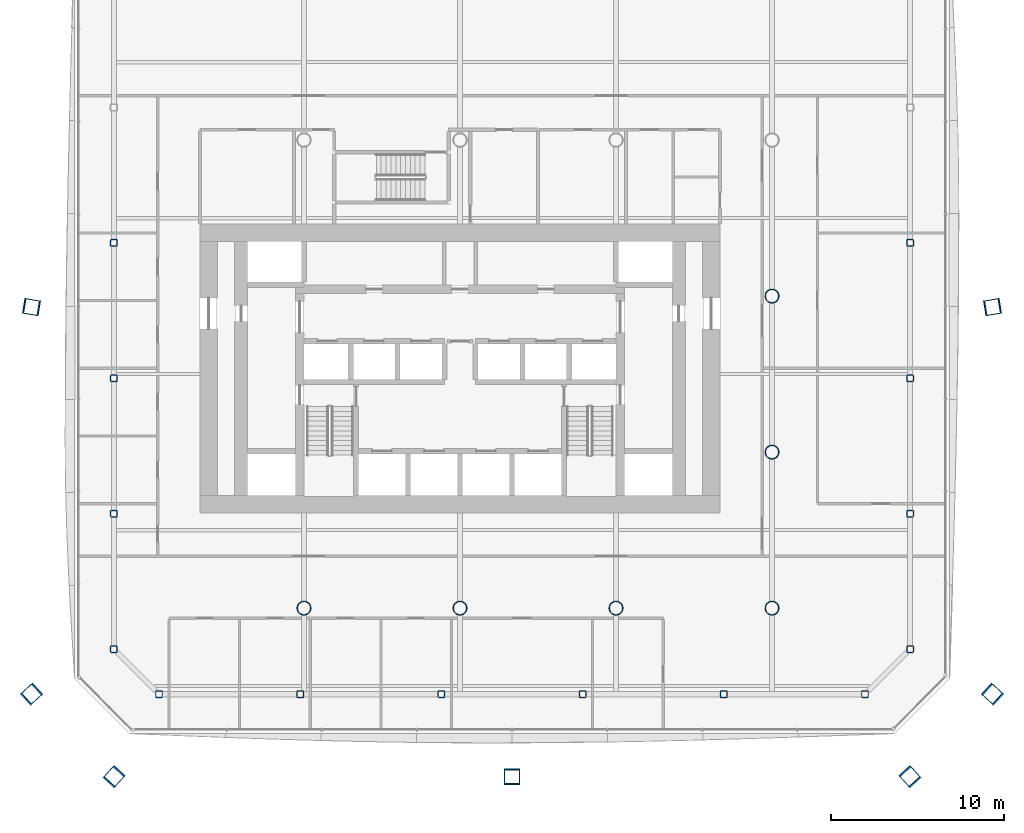
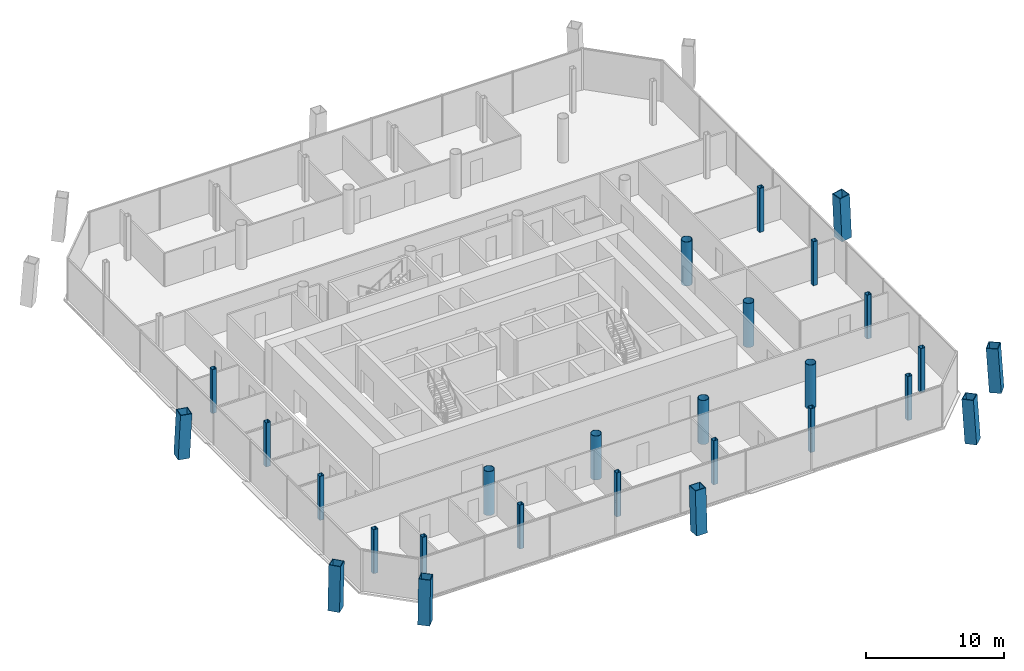
# One storey, part 1 of 19: 27 columns.
"""IFC4 building model written with IfcOpenShell, lengths in metres."""

from ifc_helpers import new_model, si_unit, direction, frame, origin, origin_2d, place, context, subcontext, project, spatial, hollow_rectangle, hollow_circle, extrude, material, material_profile, profile_set, type_object, element, save


model = new_model("IFC4")

# Units and contexts
model_context = context("Model", 3, precision=1e-05, world=origin(), true_north=direction((0.0, 1.0)))
body_context = subcontext(model_context, "Body", "Model", "MODEL_VIEW")
ifc_project = project(units=[si_unit("LENGTHUNIT", "METRE"), si_unit("AREAUNIT", "SQUARE_METRE"), si_unit("VOLUMEUNIT", "CUBIC_METRE"), si_unit("PLANEANGLEUNIT", "RADIAN"), si_unit("MASSUNIT", "GRAM", prefix="KILO")], contexts=[model_context])

# Site, building, storey
site_placement = place(None, origin())
site = spatial("IfcSite", under=ifc_project, at=site_placement, CompositionType="ELEMENT")
building_placement = place(site_placement, origin())
building = spatial("IfcBuilding", under=site, at=building_placement, Name="Tskaro Facet Tower", CompositionType="ELEMENT")
storey_placement = place(building_placement, frame((0.0, 0.0, 81.60009765625)))
storey = spatial("IfcBuildingStorey", under=building, at=storey_placement, Name="L19", CompositionType="ELEMENT", Elevation=81.60009765625)

# Columns
ifc_material_1 = material(Name="Steel S460M", Category="steel")
ifc_material_profile_1 = material_profile(ifc_material_1, hollow_rectangle(XDim=0.89990234375, YDim=0.89990234375, WallThickness=0.054931640625, at=origin_2d()), Name="BOX 900x900x55")
ifc_profile_set_1 = profile_set([ifc_material_profile_1], Name="Steel S460M")
column_type_1 = type_object("IfcColumnType", Name="BOX 900x900x55 mega column", PredefinedType="COLUMN", material=ifc_profile_set_1)
column_1_placement = place(storey_placement, frame((-19.98193359375, -27.74609375, 0.0), z_axis=(0.042483940787, 0.046857287632, 0.997997750183), x_axis=(-0.74083333658, 0.671688891833, 0.0)))
element("IfcColumn", 1, at=column_1_placement, inside=storey, type_object=column_type_1, Name="BOX 900x900x55 MC01/2", PredefinedType="COLUMN", context=body_context, shape_type="SweptSolid", body=[
    extrude(hollow_rectangle(XDim=0.89990234375, YDim=0.89990234375, WallThickness=0.054931640625, at=origin_2d()), origin(), (0.0, 0.0, 1.0), 3.90771484375),
])
column_2_placement = place(storey_placement, frame((3.0, -27.74609375, 0.0), z_axis=(0.0, 0.046899630973, 0.998899606875), x_axis=(-1.0, 0.0, 0.0)))
element("IfcColumn", 2, at=column_2_placement, inside=storey, type_object=column_type_1, Name="BOX 900x900x55 MC02/2", PredefinedType="COLUMN", context=body_context, shape_type="SweptSolid", body=[
    extrude(hollow_rectangle(XDim=0.89990234375, YDim=0.89990234375, WallThickness=0.054931640625, at=origin_2d()), origin(), (0.0, 0.0, 1.0), 3.904296875),
])
for number, where, z_axis, x_axis, name in (
    (3, (25.98193359375, -27.74609375, 0.0), (-0.042483940787, 0.046857287632, 0.997997750183), (-0.74083333658, -0.671688891833, 0.0), "BOX 900x900x55 MC03/2"),
    (4, (30.74609375, -22.98193359375, 0.0), (-0.046857287632, 0.042483940787, 0.997997750183), (-0.671688891833, -0.74083333658, 0.0), "BOX 900x900x55 MC04/2"),
):
    element("IfcColumn", number, at=place(storey_placement, frame(where, z_axis=z_axis, x_axis=x_axis)), inside=storey, type_object=column_type_1, Name=name, PredefinedType="COLUMN", context=body_context, shape_type="SweptSolid", body=[
        extrude(hollow_rectangle(XDim=0.89990234375, YDim=0.89990234375, WallThickness=0.054931640625, at=origin_2d()), origin(), (0.0, 0.0, 1.0), 3.90771484375),
    ])
for number, where, z_axis, x_axis, name in (
    (5, (30.74609375, -0.6279296875, 0.0), (-0.046898243748, -0.007691311975, 0.998870060845), (0.161838042552, -0.986817332632, 0.0), "BOX 900x900x55 MC05/2"),
    (6, (-24.74609375, -0.6279296875, 0.0), (0.046898243748, -0.007691311975, 0.998870060845), (0.161838042552, 0.986817332632, 0.0), "BOX 900x900x55 MC11/2"),
):
    element("IfcColumn", number, at=place(storey_placement, frame(where, z_axis=z_axis, x_axis=x_axis)), inside=storey, type_object=column_type_1, Name=name, PredefinedType="COLUMN", context=body_context, shape_type="SweptSolid", body=[
        extrude(hollow_rectangle(XDim=0.89990234375, YDim=0.89990234375, WallThickness=0.054931640625, at=origin_2d()), origin(), (0.0, 0.0, 1.0), 3.904296875),
    ])
column_3_placement = place(storey_placement, frame((-24.74609375, -22.98193359375, 0.0), z_axis=(0.046857287632, 0.042483940787, 0.997997750183), x_axis=(-0.671688891833, 0.74083333658, 0.0)))
element("IfcColumn", 7, at=column_3_placement, inside=storey, type_object=column_type_1, Name="BOX 900x900x55 MC12/2", PredefinedType="COLUMN", context=body_context, shape_type="SweptSolid", body=[
    extrude(hollow_rectangle(XDim=0.89990234375, YDim=0.89990234375, WallThickness=0.054931640625, at=origin_2d()), origin(), (0.0, 0.0, 1.0), 3.90771484375),
])
ifc_material_2 = material(Name="Steel S355J2H", Category="steel")
ifc_material_profile_2 = material_profile(ifc_material_2, hollow_circle(Radius=0.406494140625, WallThickness=0.035888671875, at=origin_2d()), Name="CHS 812.8x36")
ifc_profile_set_2 = profile_set([ifc_material_profile_2], Name="Steel S355J2H")
column_type_2 = type_object("IfcColumnType", Name="CHS 812.8x36 interior column", PredefinedType="COLUMN", material=ifc_profile_set_2)
for number, where, z_axis, x_axis, name in (
    (8, (-9.0, -18.0, 0.0), (0.0, 0.0, 1.0), (1.0, 0.0, 0.0), "CHS 812.8x36 C3B/2"),
    (9, (0.0, -18.0, 0.0), (0.0, 0.0, 1.0), (1.0, 0.0, 0.0), "CHS 812.8x36 C4B/2"),
    (10, (9.0, -18.0, 0.0), (0.0, 0.0, 1.0), (1.0, 0.0, 0.0), "CHS 812.8x36 C5B/2"),
    (11, (18.0, -18.0, 0.0), (0.0, 0.0, 1.0), (1.0, 0.0, 0.0), "CHS 812.8x36 C6B/2"),
    (12, (18.0, -9.0, 0.0), (0.0, 0.0, 1.0), (1.0, 0.0, 0.0), "CHS 812.8x36 C6C/2"),
    (13, (18.0, 0.0, 0.0), (0.0, 0.0, 1.0), (1.0, 0.0, 0.0), "CHS 812.8x36 C6D/2"),
):
    element("IfcColumn", number, at=place(storey_placement, frame(where, z_axis=z_axis, x_axis=x_axis)), inside=storey, type_object=column_type_2, Name=name, PredefinedType="COLUMN", context=body_context, shape_type="SweptSolid", body=[
        extrude(hollow_circle(Radius=0.406494140625, WallThickness=0.035888671875, at=origin_2d()), origin(), (0.0, 0.0, 1.0), 3.89990234375),
    ])
ifc_material_profile_3 = material_profile(ifc_material_2, hollow_rectangle(XDim=0.39990234375, YDim=0.39990234375, WallThickness=0.02490234375, InnerFilletRadius=0.03759765625, OuterFilletRadius=0.0625, at=origin_2d()), Name="SHS 400x400x25")
ifc_profile_set_3 = profile_set([ifc_material_profile_3], Name="Steel S355J2H")
column_type_3 = type_object("IfcColumnType", Name="SHS 400x400x25 ring column", PredefinedType="COLUMN", material=ifc_profile_set_3)
for number, where, z_axis, x_axis, name in (
    (14, (-17.364013671875, -22.965087890625, 0.0), (0.0, 0.0, 1.0), (1.0, 0.0, 0.0), "SHS 400x400x25 RS-1/2"),
    (15, (-9.218017578125, -22.965087890625, 0.0), (0.0, 0.0, 1.0), (1.0, 0.0, 0.0), "SHS 400x400x25 RS-2/2"),
    (16, (-1.072998046875, -22.965087890625, 0.0), (0.0, 0.0, 1.0), (1.0, 0.0, 0.0), "SHS 400x400x25 RS-3/2"),
    (17, (7.072998046875, -22.965087890625, 0.0), (0.0, 0.0, 1.0), (1.0, 0.0, 0.0), "SHS 400x400x25 RS-4/2"),
    (18, (15.218017578125, -22.965087890625, 0.0), (0.0, 0.0, 1.0), (1.0, 0.0, 0.0), "SHS 400x400x25 RS-5/2"),
    (19, (23.364013671875, -22.965087890625, 0.0), (0.0, 0.0, 1.0), (1.0, 0.0, 0.0), "SHS 400x400x25 RSE-1/2"),
    (20, (25.965087890625, -20.364013671875, 0.0), (0.0, 0.0, 1.0), (1.0, 0.0, 0.0), "SHS 400x400x25 RE-1/2"),
    (21, (25.965087890625, -12.552978515625, 0.0), (0.0, 0.0, 1.0), (1.0, 0.0, 0.0), "SHS 400x400x25 RE-2/2"),
    (22, (25.965087890625, -4.741943359375, 0.0), (0.0, 0.0, 1.0), (1.0, 0.0, 0.0), "SHS 400x400x25 RE-3/2"),
    (23, (25.965087890625, 3.068115234375, 0.0), (0.0, 0.0, 1.0), (1.0, 0.0, 0.0), "SHS 400x400x25 RE-4/2"),
    (24, (-19.965087890625, 3.068115234375, 0.0), (0.0, 0.0, 1.0), (1.0, 0.0, 0.0), "SHS 400x400x25 RW-3/2"),
    (25, (-19.965087890625, -4.741943359375, 0.0), (0.0, 0.0, 1.0), (1.0, 0.0, 0.0), "SHS 400x400x25 RW-4/2"),
    (26, (-19.965087890625, -12.552978515625, 0.0), (0.0, 0.0, 1.0), (1.0, 0.0, 0.0), "SHS 400x400x25 RW-5/2"),
    (27, (-19.965087890625, -20.364013671875, 0.0), (0.0, 0.0, 1.0), (1.0, 0.0, 0.0), "SHS 400x400x25 RSW-1/2"),
):
    element("IfcColumn", number, at=place(storey_placement, frame(where, z_axis=z_axis, x_axis=x_axis)), inside=storey, type_object=column_type_3, Name=name, PredefinedType="COLUMN", context=body_context, shape_type="SweptSolid", body=[
        extrude(hollow_rectangle(XDim=0.39990234375, YDim=0.39990234375, WallThickness=0.02490234375, InnerFilletRadius=0.03759765625, OuterFilletRadius=0.0625, at=origin_2d()), origin(), (0.0, 0.0, 1.0), 3.89990234375),
    ])

save(model, "model.ifc")
